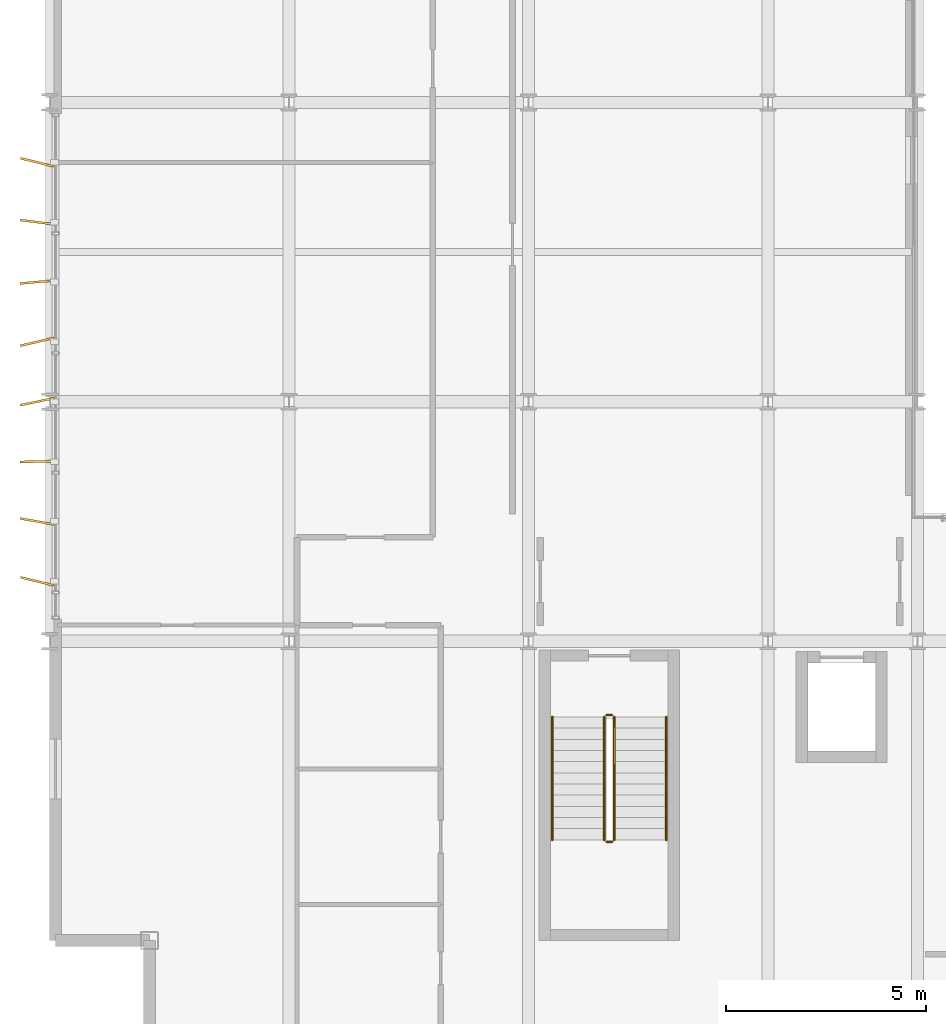
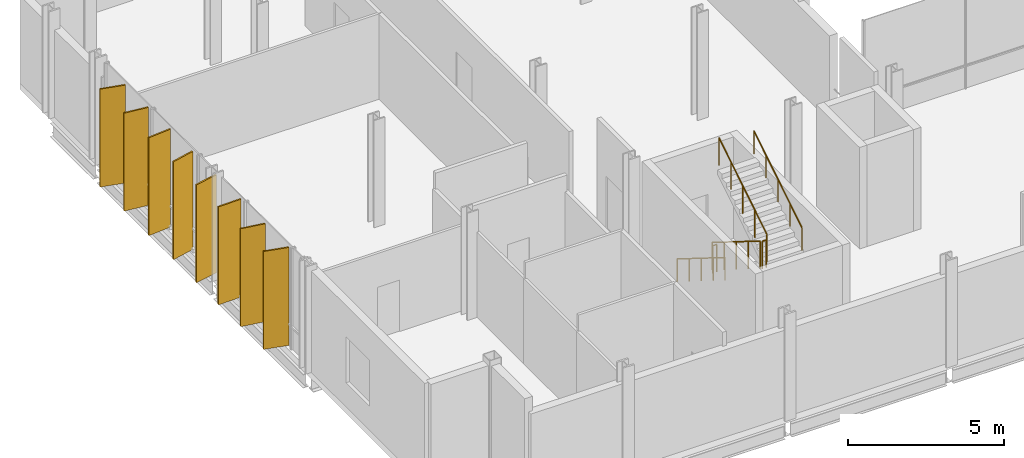
# One storey, part 29 of 32: 8 shading devices, 6 railings.
"""IFC4 building model written with IfcOpenShell, lengths in metres."""

from ifc_helpers import new_model, si_unit, direction, frame, origin, origin_2d, place, context, subcontext, project, spatial, rectangle, circle, extrude, material, layer, layer_set, type_object, element, save


model = new_model("IFC4")

# Units and contexts
model_context = context("Model", 3, precision=1e-05, world=origin(), true_north=direction((0.0, 1.0)))
body_context = subcontext(model_context, "Body", "Model", "MODEL_VIEW")
ifc_project = project(units=[si_unit("LENGTHUNIT", "METRE"), si_unit("AREAUNIT", "SQUARE_METRE"), si_unit("VOLUMEUNIT", "CUBIC_METRE"), si_unit("PLANEANGLEUNIT", "RADIAN"), si_unit("MASSUNIT", "GRAM", prefix="KILO")], contexts=[model_context])

# Site, building, storey
site_placement = place(None, origin())
site = spatial("IfcSite", under=ifc_project, at=site_placement, CompositionType="ELEMENT")
building_placement = place(site_placement, origin())
building = spatial("IfcBuilding", under=site, at=building_placement, Name="Brevholm Reach", CompositionType="ELEMENT")
storey_placement = place(building_placement, frame((0.0, 0.0, 134.5)))
storey = spatial("IfcBuildingStorey", under=building, at=storey_placement, Name="L40", CompositionType="ELEMENT", Elevation=134.5)

# Railings
ifc_material_1 = material(Name="Brushed Stainless Steel EN 1.4401 Continuous Handrail", Category="steel")
railing_type_1 = type_object("IfcRailingType", Name="RAL-HND-950", PredefinedType="HANDRAIL", material=ifc_material_1)
railing_1_placement = place(storey_placement, frame((12.60009765625, 8.10009765625, 0.175048828125)))
element("IfcRailing", 1, at=railing_1_placement, inside=storey, type_object=railing_type_1, Name="L40 ST-1 stair handrail 1", PredefinedType="HANDRAIL", context=body_context, shape_type="SweptSolid", body=[
    extrude(circle(Radius=0.02392578125, at=origin_2d()), frame((0.0, 0.0, 0.8857421875), z_axis=(0.0, -0.847998304005, 0.529998940003), x_axis=(1.0, 0.0, 0.0)), (0.0, 0.0, 1.0), 3.632080078125),
    extrude(circle(Radius=0.02099609375, at=origin_2d()), origin(), (0.0, 0.0, 1.0), 0.86181640625),
    extrude(circle(Radius=0.02099609375, at=origin_2d()), frame((0.0, -0.77001953125, 0.481201171875)), (0.0, 0.0, 1.0), 0.86181640625),
    extrude(circle(Radius=0.02099609375, at=origin_2d()), frame((0.0, -1.5400390625, 0.96240234375)), (0.0, 0.0, 1.0), 0.86181640625),
    extrude(circle(Radius=0.02099609375, at=origin_2d()), frame((0.0, -2.31005859375, 1.44384765625)), (0.0, 0.0, 1.0), 0.86181640625),
    extrude(circle(Radius=0.02099609375, at=origin_2d()), frame((0.0, -3.080078125, 1.925048828125)), (0.0, 0.0, 1.0), 0.86181640625),
])
railing_2_placement = place(storey_placement, frame((15.449951171875, 5.02001953125, 2.27490234375)))
element("IfcRailing", 2, at=railing_2_placement, inside=storey, type_object=railing_type_1, Name="L40 ST-1 stair handrail 2", PredefinedType="HANDRAIL", context=body_context, shape_type="SweptSolid", body=[
    extrude(circle(Radius=0.02392578125, at=origin_2d()), frame((0.0, 0.0, 0.8857421875), z_axis=(0.0, 0.847998304005, 0.529998940003), x_axis=(-1.0, 0.0, 0.0)), (0.0, 0.0, 1.0), 3.632080078125),
    extrude(circle(Radius=0.02099609375, at=origin_2d()), origin(), (0.0, 0.0, 1.0), 0.86181640625),
    extrude(circle(Radius=0.02099609375, at=origin_2d()), frame((0.0, 0.77001953125, 0.481201171875)), (0.0, 0.0, 1.0), 0.86181640625),
    extrude(circle(Radius=0.02099609375, at=origin_2d()), frame((0.0, 1.5400390625, 0.96240234375)), (0.0, 0.0, 1.0), 0.86181640625),
    extrude(circle(Radius=0.02099609375, at=origin_2d()), frame((0.0, 2.31005859375, 1.44384765625)), (0.0, 0.0, 1.0), 0.86181640625),
    extrude(circle(Radius=0.02099609375, at=origin_2d()), frame((0.0, 3.080078125, 1.925048828125)), (0.0, 0.0, 1.0), 0.86181640625),
])
ifc_material_2 = material(Name="Painted Tubular Galvanised Steel S275JR Stair Guard", Category="steel")
railing_type_2 = type_object("IfcRailingType", Name="RAL-STG-1120", PredefinedType="BALUSTRADE", material=ifc_material_2)
railing_3_placement = place(storey_placement, frame((13.89990234375, 8.10009765625, 0.175048828125)))
element("IfcRailing", 3, at=railing_3_placement, inside=storey, type_object=railing_type_2, Name="L40 ST-1 stair guard 1", PredefinedType="BALUSTRADE", context=body_context, shape_type="SweptSolid", body=[
    extrude(circle(Radius=0.02392578125, at=origin_2d()), frame((0.0, 0.0, 1.076171875), z_axis=(0.0, -0.847998304005, 0.529998940003), x_axis=(1.0, 0.0, 0.0)), (0.0, 0.0, 1.0), 3.632080078125),
    extrude(circle(Radius=0.02099609375, at=origin_2d()), origin(), (0.0, 0.0, 1.0), 1.052001953125),
    extrude(circle(Radius=0.02099609375, at=origin_2d()), frame((0.0, -0.77001953125, 0.481201171875)), (0.0, 0.0, 1.0), 1.052001953125),
    extrude(circle(Radius=0.02099609375, at=origin_2d()), frame((0.0, -1.5400390625, 0.96240234375)), (0.0, 0.0, 1.0), 1.052001953125),
    extrude(circle(Radius=0.02099609375, at=origin_2d()), frame((0.0, -2.31005859375, 1.44384765625)), (0.0, 0.0, 1.0), 1.052001953125),
    extrude(circle(Radius=0.02099609375, at=origin_2d()), frame((0.0, -3.080078125, 1.925048828125)), (0.0, 0.0, 1.0), 1.052001953125),
])
railing_4_placement = place(storey_placement, frame((13.949951171875, 4.969970703125, 2.10009765625)))
element("IfcRailing", 4, at=railing_4_placement, inside=storey, type_object=railing_type_2, Name="L40 ST-1 stair guard 2", PredefinedType="BALUSTRADE", context=body_context, shape_type="SweptSolid", body=[
    extrude(circle(Radius=0.02392578125, at=origin_2d()), frame((0.0, 0.0, 1.076171875), z_axis=(1.0, 0.0, 0.0), x_axis=(0.0, 1.0, 0.0)), (0.0, 0.0, 1.0), 0.150146484375),
    extrude(circle(Radius=0.02099609375, at=origin_2d()), origin(), (0.0, 0.0, 1.0), 1.052001953125),
    extrude(circle(Radius=0.02099609375, at=origin_2d()), frame((0.150146484375, 0.0, 0.0)), (0.0, 0.0, 1.0), 1.052001953125),
])
railing_5_placement = place(storey_placement, frame((14.14990234375, 5.02001953125, 2.27490234375)))
element("IfcRailing", 5, at=railing_5_placement, inside=storey, type_object=railing_type_2, Name="L40 ST-1 stair guard 3", PredefinedType="BALUSTRADE", context=body_context, shape_type="SweptSolid", body=[
    extrude(circle(Radius=0.02392578125, at=origin_2d()), frame((0.0, 0.0, 1.076171875), z_axis=(0.0, 0.847998304005, 0.529998940003), x_axis=(-1.0, 0.0, 0.0)), (0.0, 0.0, 1.0), 3.632080078125),
    extrude(circle(Radius=0.02099609375, at=origin_2d()), origin(), (0.0, 0.0, 1.0), 1.052001953125),
    extrude(circle(Radius=0.02099609375, at=origin_2d()), frame((0.0, 0.77001953125, 0.481201171875)), (0.0, 0.0, 1.0), 1.052001953125),
    extrude(circle(Radius=0.02099609375, at=origin_2d()), frame((0.0, 1.5400390625, 0.96240234375)), (0.0, 0.0, 1.0), 1.052001953125),
    extrude(circle(Radius=0.02099609375, at=origin_2d()), frame((0.0, 2.31005859375, 1.44384765625)), (0.0, 0.0, 1.0), 1.052001953125),
    extrude(circle(Radius=0.02099609375, at=origin_2d()), frame((0.0, 3.080078125, 1.925048828125)), (0.0, 0.0, 1.0), 1.052001953125),
])
railing_6_placement = place(storey_placement, frame((13.949951171875, 8.14990234375, 0.0)))
element("IfcRailing", 6, at=railing_6_placement, inside=storey, type_object=railing_type_2, Name="L40 ST-1 stair guard 4", PredefinedType="BALUSTRADE", context=body_context, shape_type="SweptSolid", body=[
    extrude(circle(Radius=0.02392578125, at=origin_2d()), frame((0.0, 0.0, 1.076171875), z_axis=(1.0, 0.0, 0.0), x_axis=(0.0, 1.0, 0.0)), (0.0, 0.0, 1.0), 0.150146484375),
    extrude(circle(Radius=0.02099609375, at=origin_2d()), origin(), (0.0, 0.0, 1.0), 1.052001953125),
    extrude(circle(Radius=0.02099609375, at=origin_2d()), frame((0.150146484375, 0.0, 0.0)), (0.0, 0.0, 1.0), 1.052001953125),
])

# Shading devices
ifc_material_3 = material(Name="Perforated Champagne-Bronze Anodised Aluminium", Category="aluminium")
ifc_layer = layer(ifc_material_3, 0.054931640625)
ifc_layer_set = layer_set([ifc_layer], Name="Perforated Champagne-Bronze Anodised Aluminium")
shading_device_type = type_object("IfcShadingDeviceType", Name="SHD-FIN-850", PredefinedType="USERDEFINED", material=ifc_layer_set)
for number, where, z_axis, x_axis, name in (
    (7, (-0.31494140625, 11.5, 0.06982421875), (0.0, 0.0, 1.0), (-0.970846315369, 0.239702799181, 0.0), "L40 Perforated Solar Screen Fin 1"),
    (8, (-0.31494140625, 13.0, 0.06982421875), (0.0, 0.0, 1.0), (-0.98436821771, 0.176122718475, 0.0), "L40 Perforated Solar Screen Fin 2"),
    (9, (-0.31494140625, 14.5, 0.06982421875), (0.0, 0.0, 1.0), (-0.999773312281, -0.021291407895, 0.0), "L40 Perforated Solar Screen Fin 3"),
    (10, (-0.31494140625, 16.0, 0.06982421875), (0.0, 0.0, 1.0), (-0.979350032338, -0.202171991531, 0.0), "L40 Perforated Solar Screen Fin 4"),
    (11, (-0.31494140625, 17.5, 0.06982421875), (0.0, 0.0, 1.0), (-0.973074379322, -0.230491328051, 0.0), "L40 Perforated Solar Screen Fin 5"),
    (12, (-0.31494140625, 19.0, 0.06982421875), (0.0, 0.0, 1.0), (-0.996267363924, -0.086321142142, 0.0), "L40 Perforated Solar Screen Fin 6"),
    (13, (-0.31494140625, 20.5, 0.06982421875), (0.0, 0.0, 1.0), (-0.992223697411, 0.124467402546, 0.0), "L40 Perforated Solar Screen Fin 7"),
    (14, (-0.31494140625, 22.0, 0.06982421875), (0.0, 0.0, 1.0), (-0.970846315369, 0.239702799181, 0.0), "L40 Perforated Solar Screen Fin 8"),
):
    element("IfcShadingDevice", number, at=place(storey_placement, frame(where, z_axis=z_axis, x_axis=x_axis)), inside=storey, type_object=shading_device_type, Name=name, ObjectType="SCREEN", PredefinedType="USERDEFINED", context=body_context, shape_type="SweptSolid", body=[
        extrude(rectangle(XDim=0.85009765625, YDim=0.054931640625, at=origin_2d()), origin(), (0.0, 0.0, 1.0), 3.840087890625),
    ])

save(model, "model.ifc")
